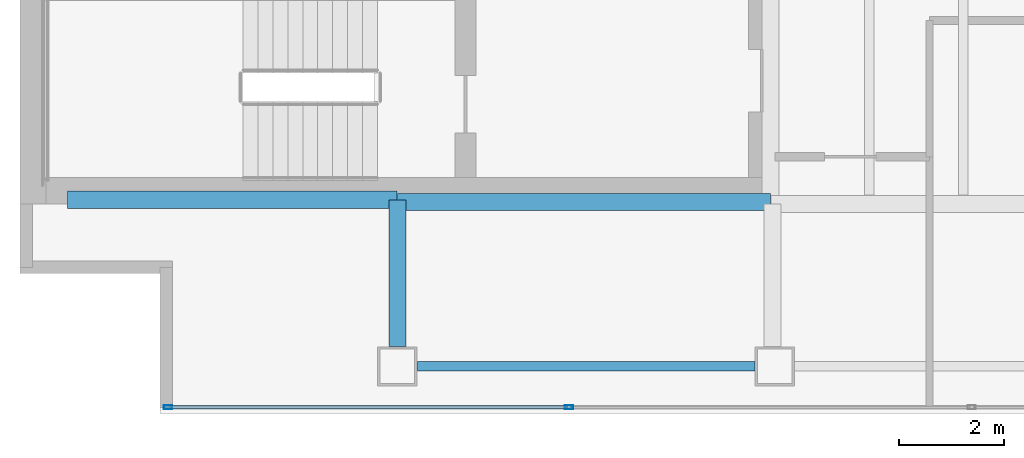
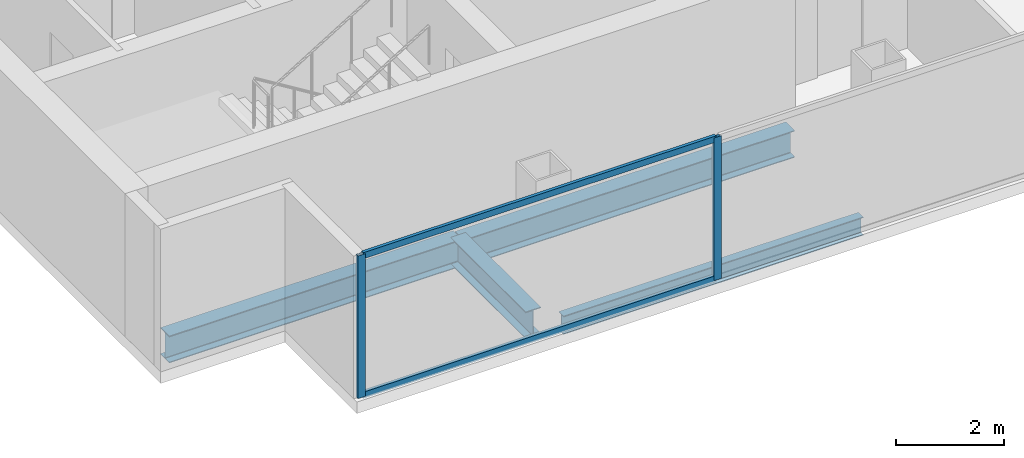
# One storey, part 2 of 23: 4 beams, 4 members, 1 element without a shape of its own.
"""IFC4 building model written with IfcOpenShell, lengths in metres."""

from ifc_helpers import new_model, si_unit, direction, frame, origin, origin_2d, place, context, subcontext, project, spatial, hollow_rectangle, i_section, extrude, material, material_profile, profile_set, type_object, element, aggregate, save


model = new_model("IFC4")

# Units and contexts
model_context = context("Model", 3, precision=1e-05, world=origin(), true_north=direction((0.0, 1.0)))
body_context = subcontext(model_context, "Body", "Model", "MODEL_VIEW")
ifc_project = project(units=[si_unit("LENGTHUNIT", "METRE"), si_unit("AREAUNIT", "SQUARE_METRE"), si_unit("VOLUMEUNIT", "CUBIC_METRE"), si_unit("PLANEANGLEUNIT", "RADIAN"), si_unit("MASSUNIT", "GRAM", prefix="KILO")], contexts=[model_context])

# Site, building, storey
site_placement = place(None, origin())
site = spatial("IfcSite", under=ifc_project, at=site_placement, CompositionType="ELEMENT")
building_placement = place(site_placement, origin())
building = spatial("IfcBuilding", under=site, at=building_placement, Name="Cobrela Telecom Tower", CompositionType="ELEMENT")
storey_placement = place(building_placement, frame((0.0, 0.0, 218.75)))
storey = spatial("IfcBuildingStorey", under=building, at=storey_placement, Name="L56", CompositionType="ELEMENT", Elevation=218.75)

# Beams
ifc_material_1 = material(Name="Steel ASTM A992 Grade 50", Category="steel")
ifc_material_profile_1 = material_profile(ifc_material_1, i_section(OverallWidth=0.324951171875, OverallDepth=0.612060546875, WebThickness=0.0126953125, FlangeThickness=0.01904296875, FilletRadius=0.014892578125, at=origin_2d()), Name="W24X104")
ifc_profile_set_1 = profile_set([ifc_material_profile_1], Name="Steel ASTM A992 Grade 50")
beam_type_1 = type_object("IfcBeamType", Name="BM-GIRD-07", PredefinedType="USERDEFINED", material=ifc_profile_set_1)
beam_1_placement = place(storey_placement, frame((0.905029296875, 7.280029296875, -0.56591796875), z_axis=(1.0, 0.0, 0.0), x_axis=(0.0, 1.0, 0.0)))
element("IfcBeam", 1, at=beam_1_placement, inside=storey, type_object=beam_type_1, Name="L56 Primary Girder X05", ObjectType="GIRDER", PredefinedType="USERDEFINED", context=body_context, shape_type="SweptSolid", body=[
    extrude(i_section(OverallWidth=0.324951171875, OverallDepth=0.612060546875, WebThickness=0.0126953125, FlangeThickness=0.01904296875, FilletRadius=0.014892578125, at=origin_2d()), origin(), (0.0, 0.0, 1.0), 6.2900390625),
])
beam_2_placement = place(storey_placement, frame((7.205078125, 7.239990234375, -0.56591796875), z_axis=(1.0, 0.0, 0.0), x_axis=(0.0, 1.0, 0.0)))
element("IfcBeam", 2, at=beam_2_placement, inside=storey, type_object=beam_type_1, Name="L56 Primary Girder X06", ObjectType="GIRDER", PredefinedType="USERDEFINED", context=body_context, shape_type="SweptSolid", body=[
    extrude(i_section(OverallWidth=0.324951171875, OverallDepth=0.612060546875, WebThickness=0.0126953125, FlangeThickness=0.01904296875, FilletRadius=0.014892578125, at=origin_2d()), origin(), (0.0, 0.0, 1.0), 7.10986328125),
])
beam_3_placement = place(storey_placement, frame((7.199951171875, 4.47998046875, -0.56591796875), z_axis=(0.0, 1.0, 0.0), x_axis=(-1.0, 0.0, 0.0)))
element("IfcBeam", 3, at=beam_3_placement, inside=storey, type_object=beam_type_1, Name="L56 Primary Girder Y24", ObjectType="GIRDER", PredefinedType="USERDEFINED", context=body_context, shape_type="SweptSolid", body=[
    extrude(i_section(OverallWidth=0.324951171875, OverallDepth=0.612060546875, WebThickness=0.0126953125, FlangeThickness=0.01904296875, FilletRadius=0.014892578125, at=origin_2d()), origin(), (0.0, 0.0, 1.0), 2.794921875),
])
ifc_material_profile_2 = material_profile(ifc_material_1, i_section(OverallWidth=0.179931640625, OverallDepth=0.4169921875, WebThickness=0.010986328125, FlangeThickness=0.01806640625, FilletRadius=0.011962890625, at=origin_2d()), Name="W16X57")
ifc_profile_set_2 = profile_set([ifc_material_profile_2], Name="Steel ASTM A992 Grade 50")
beam_type_2 = type_object("IfcBeamType", Name="BM-SPAND-06", PredefinedType="SPANDREL", material=ifc_profile_set_2)
beam_4_placement = place(storey_placement, frame((7.580078125, 4.10009765625, -0.468505859375), z_axis=(1.0, 0.0, 0.0), x_axis=(0.0, 1.0, 0.0)))
element("IfcBeam", 4, at=beam_4_placement, inside=storey, type_object=beam_type_2, Name="L56 Perimeter Spandrel X01", PredefinedType="SPANDREL", context=body_context, shape_type="SweptSolid", body=[
    extrude(i_section(OverallWidth=0.179931640625, OverallDepth=0.4169921875, WebThickness=0.010986328125, FlangeThickness=0.01806640625, FilletRadius=0.011962890625, at=origin_2d()), origin(), (0.0, 0.0, 1.0), 6.43994140625),
])

# Curtain wall, members
ifc_material_2 = material(Name="Anodized Bronze Aluminium 6063-T6", Category="aluminium")
curtain_wall_type = type_object("IfcCurtainWallType", Name="CW-SYS-OFF-LO", PredefinedType="USERDEFINED", material=ifc_material_2)
curtain_wall_placement = place(storey_placement, origin())
curtain_wall = element("IfcCurtainWall", 5, at=curtain_wall_placement, inside=storey, type_object=curtain_wall_type, Name="L56 Unitised Bronze Curtain Wall 17", ObjectType="UNITISED CURTAIN WALL", PredefinedType="USERDEFINED")
ifc_material_profile_3 = material_profile(ifc_material_2, hollow_rectangle(XDim=0.070068359375, YDim=0.159912109375, WallThickness=0.00390625, at=origin_2d()), Name="ALU 70x160x4")
ifc_profile_set_3 = profile_set([ifc_material_profile_3], Name="Anodized Bronze Aluminium 6063-T6")
member_type_1 = type_object("IfcMemberType", Name="CW-SYS-OFF-LO-MUL", PredefinedType="MULLION", material=ifc_profile_set_3)
member_1_placement = place(storey_placement, frame((10.47412109375, 3.320068359375, 0.0), z_axis=(0.0, 0.0, 1.0), x_axis=(0.0, -1.0, 0.0)))
member_1 = element("IfcMember", 6, at=member_1_placement, type_object=member_type_1, Name="CW-OFF-LO mullion 5", PredefinedType="MULLION", context=body_context, shape_type="SweptSolid", body=[
    extrude(hollow_rectangle(XDim=0.070068359375, YDim=0.159912109375, WallThickness=0.00390625, at=origin_2d()), origin(), (0.0, 0.0, 1.0), 3.239990234375),
])
member_2_placement = place(storey_placement, frame((2.824951171875, 3.320068359375, 0.0), z_axis=(0.0, 0.0, 1.0), x_axis=(0.0, -1.0, 0.0)))
member_2 = element("IfcMember", 7, at=member_2_placement, type_object=member_type_1, Name="CW-OFF-LO mullion 6", PredefinedType="MULLION", context=body_context, shape_type="SweptSolid", body=[
    extrude(hollow_rectangle(XDim=0.070068359375, YDim=0.159912109375, WallThickness=0.00390625, at=origin_2d()), origin(), (0.0, 0.0, 1.0), 3.239990234375),
])
ifc_material_profile_4 = material_profile(ifc_material_2, hollow_rectangle(XDim=0.070068359375, YDim=0.139892578125, WallThickness=0.00390625, at=origin_2d()), Name="ALU 70x140x4")
ifc_profile_set_4 = profile_set([ifc_material_profile_4], Name="Anodized Bronze Aluminium 6063-T6")
member_type_2 = type_object("IfcMemberType", Name="CW-SYS-OFF-LO-TRN", PredefinedType="USERDEFINED", material=ifc_profile_set_4)
member_3_placement = place(storey_placement, frame((10.43896484375, 3.320068359375, 0.034912109375), z_axis=(-1.0, 0.0, 0.0), x_axis=(0.0, -1.0, 0.0)))
member_3 = element("IfcMember", 8, at=member_3_placement, type_object=member_type_2, Name="CW-OFF-LO transom 5.1", ObjectType="TRANSOM", PredefinedType="USERDEFINED", context=body_context, shape_type="SweptSolid", body=[
    extrude(hollow_rectangle(XDim=0.070068359375, YDim=0.139892578125, WallThickness=0.00390625, at=origin_2d()), origin(), (0.0, 0.0, 1.0), 7.578857421875),
])
member_4_placement = place(storey_placement, frame((10.43896484375, 3.320068359375, 3.205078125), z_axis=(-1.0, 0.0, 0.0), x_axis=(0.0, -1.0, 0.0)))
member_4 = element("IfcMember", 9, at=member_4_placement, type_object=member_type_2, Name="CW-OFF-LO transom 5.2", ObjectType="TRANSOM", PredefinedType="USERDEFINED", context=body_context, shape_type="SweptSolid", body=[
    extrude(hollow_rectangle(XDim=0.070068359375, YDim=0.139892578125, WallThickness=0.00390625, at=origin_2d()), origin(), (0.0, 0.0, 1.0), 7.578857421875),
])
aggregate(curtain_wall, [member_1, member_2, member_3, member_4])

save(model, "model.ifc")
